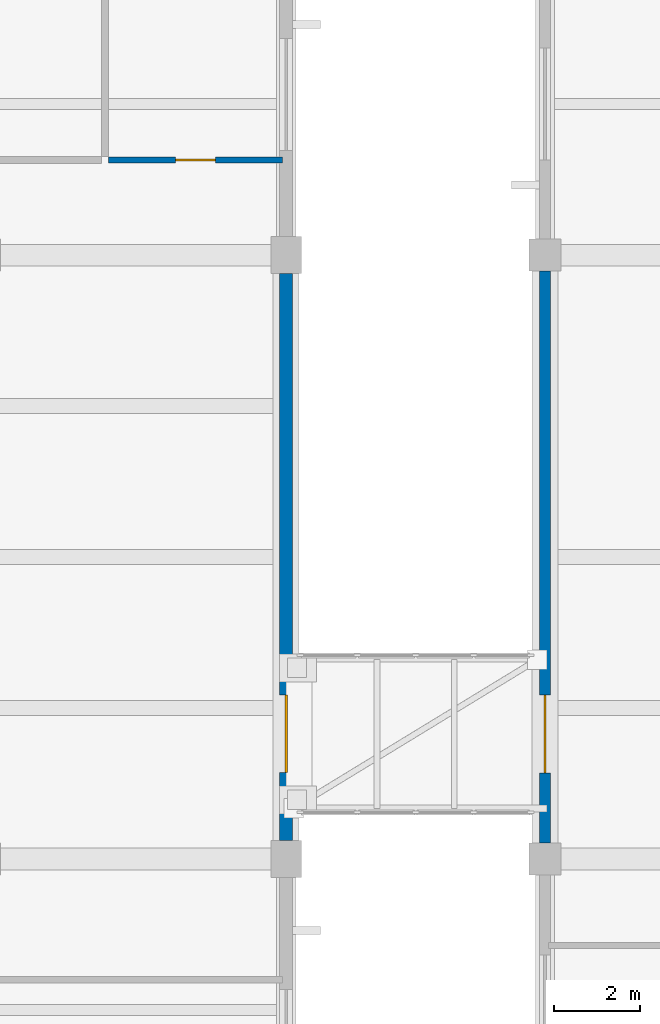
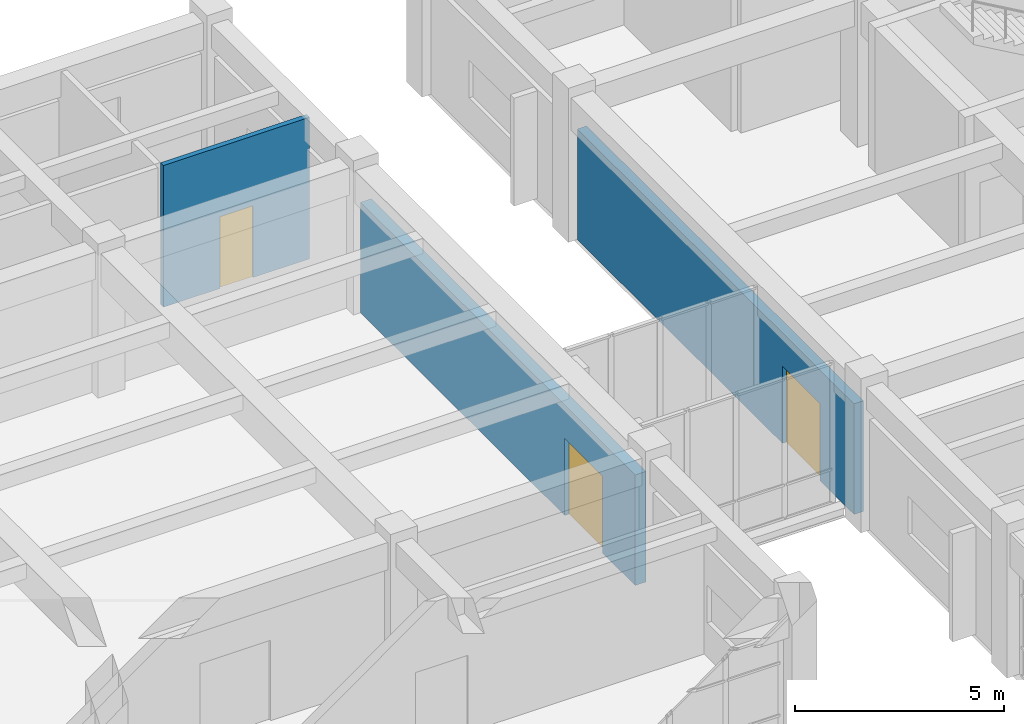
# One storey, part 52 of 70: 3 doors, 3 walls, 3 openings.
"""IFC4 building model written with IfcOpenShell, lengths in metres."""

from ifc_helpers import new_model, si_unit, direction, frame, frame_2d, origin, place, context, subcontext, project, spatial, rectangle, extrude, material, layer, layer_set, type_object, element, fill, save


model = new_model("IFC4")

# Units and contexts
model_context = context("Model", 3, precision=1e-05, world=origin(), true_north=direction((0.0, 1.0)))
body_context = subcontext(model_context, "Body", "Model", "MODEL_VIEW")
ifc_project = project(units=[si_unit("LENGTHUNIT", "METRE"), si_unit("AREAUNIT", "SQUARE_METRE"), si_unit("VOLUMEUNIT", "CUBIC_METRE"), si_unit("PLANEANGLEUNIT", "RADIAN"), si_unit("MASSUNIT", "GRAM", prefix="KILO")], contexts=[model_context])

# Site, building, storey
site_placement = place(None, origin())
site = spatial("IfcSite", under=ifc_project, at=site_placement, CompositionType="ELEMENT")
building_placement = place(site_placement, origin())
building = spatial("IfcBuilding", under=site, at=building_placement, Name="Naurynzar Civic Courthouse", CompositionType="ELEMENT")
storey_placement = place(building_placement, frame((0.0, 0.0, 5.39990234375)))
storey = spatial("IfcBuildingStorey", under=building, at=storey_placement, Name="L02", CompositionType="ELEMENT", Elevation=5.39990234375)

# Wall, opening, door
ifc_material_1 = material(Name="Precast concrete C40/50", Category="concrete")
ifc_layer_1 = layer(ifc_material_1, 0.260009765625)
ifc_layer_set_1 = layer_set([ifc_layer_1], Name="WL-EXT-260")
wall_type_1 = type_object("IfcWallType", Name="WL-EXT-260", PredefinedType="SOLIDWALL", material=ifc_layer_set_1)
wall_1_placement = place(storey_placement, frame((130.0, 51.375, 0.0), z_axis=(0.0, 0.0, 1.0), x_axis=(0.0, 1.0, 0.0)))
wall_1 = element("IfcWall", 1, at=wall_1_placement, inside=storey, type_object=wall_type_1, Name="V5 exterior wall west L02.8.1", PredefinedType="SOLIDWALL", context=body_context, shape_type="SweptSolid", body=[
    extrude(rectangle(XDim=13.25, YDim=0.260009765625, at=frame_2d((6.625, 0.0))), origin(), (0.0, 0.0, 1.0), 3.22998046875),
])
opening_1_placement = place(wall_1_placement, frame((1.625, 0.0, 0.0)))
opening_1 = element("IfcOpeningElement", 2, at=opening_1_placement, cuts=wall_1, Name="Opening BD-35", PredefinedType="OPENING", context=body_context, shape_type="SweptSolid", body=[
    extrude(rectangle(XDim=1.800048828125, YDim=2.25, at=frame_2d((0.89990234375, 1.125))), frame((0.0, 0.139892578125, 0.0), z_axis=(0.0, -1.0, 0.0), x_axis=(1.0, 0.0, 0.0)), (0.0, 0.0, 1.0), 0.280029296875),
])
ifc_material_2 = material(Name="Aluminium 6063-T6", Category="aluminium")
door_type_1 = type_object("IfcDoorType", Name="DR-BRG-1800x2250", OperationType="DOUBLE_DOOR_SINGLE_SWING", PredefinedType="DOOR", material=ifc_material_2)
door_1_placement = place(opening_1_placement, origin())
door_1 = element("IfcDoor", 3, at=door_1_placement, inside=storey, type_object=door_type_1, Name="Seismic bridge fire door BD-35", OperationType="DOUBLE_DOOR_SINGLE_SWING", OverallHeight=2.25, OverallWidth=1.800048828125, PredefinedType="DOOR", context=body_context, shape_type="SweptSolid", body=[
    extrude(rectangle(XDim=1.800048828125, YDim=2.25, at=frame_2d((0.89990234375, 1.125))), frame((0.0, 0.02490234375, 0.0), z_axis=(0.0, -1.0, 0.0), x_axis=(1.0, 0.0, 0.0)), (0.0, 0.0, 1.0), 0.050048828125),
])
fill(opening_1, door_1)

ifc_material_3 = material(Name="Precast concrete C40/50", Category="concrete")
ifc_layer_2 = layer(ifc_material_3, 0.300048828125)
ifc_layer_set_2 = layer_set([ifc_layer_2], Name="WL-EXT-300")
wall_type_2 = type_object("IfcWallType", Name="WL-EXT-300", PredefinedType="SOLIDWALL", material=ifc_layer_set_2)
wall_2_placement = place(storey_placement, frame((124.0, 64.574951171875, 0.0), z_axis=(0.0, 0.0, 1.0), x_axis=(0.0, -1.0, 0.0)))
wall_2 = element("IfcWall", 4, at=wall_2_placement, inside=storey, type_object=wall_type_2, Name="V2 exterior wall east L02.2.1", PredefinedType="SOLIDWALL", context=body_context, shape_type="SweptSolid", body=[
    extrude(rectangle(XDim=13.14990234375, YDim=0.300048828125, at=frame_2d((6.574951171875, 0.0))), origin(), (0.0, 0.0, 1.0), 3.22998046875),
])
opening_2_placement = place(wall_2_placement, frame((9.77490234375, 0.0, 0.0)))
opening_2 = element("IfcOpeningElement", 5, at=opening_2_placement, cuts=wall_2, Name="Opening BD-09", PredefinedType="OPENING", context=body_context, shape_type="SweptSolid", body=[
    extrude(rectangle(XDim=1.800048828125, YDim=2.25, at=frame_2d((0.89990234375, 1.125))), frame((0.0, 0.159912109375, 0.0), z_axis=(0.0, -1.0, 0.0), x_axis=(1.0, 0.0, 0.0)), (0.0, 0.0, 1.0), 0.320068359375),
])
door_2_placement = place(opening_2_placement, origin())
door_2 = element("IfcDoor", 6, at=door_2_placement, inside=storey, type_object=door_type_1, Name="Seismic bridge fire door BD-09", OperationType="DOUBLE_DOOR_SINGLE_SWING", OverallHeight=2.25, OverallWidth=1.800048828125, PredefinedType="DOOR", context=body_context, shape_type="SweptSolid", body=[
    extrude(rectangle(XDim=1.800048828125, YDim=2.25, at=frame_2d((0.89990234375, 1.125))), frame((0.0, 0.02490234375, 0.0), z_axis=(0.0, -1.0, 0.0), x_axis=(1.0, 0.0, 0.0)), (0.0, 0.0, 1.0), 0.050048828125),
])
fill(opening_2, door_2)

ifc_material_4 = material(Name="Moisture-Resistant Plumbing Partition")
ifc_layer_3 = layer(ifc_material_4, 0.139892578125)
ifc_layer_set_3 = layer_set([ifc_layer_3], Name="WL-PART-WC-140")
wall_type_3 = type_object("IfcWallType", Name="WL-PART-WC-140", PredefinedType="PLUMBINGWALL", material=ifc_layer_set_3)
wall_3_placement = place(storey_placement, frame((119.8798828125, 67.199951171875, 0.0), z_axis=(0.0, 0.0, 1.0), x_axis=(1.0, 0.0, 0.0)))
wall_3 = element("IfcWall", 7, at=wall_3_placement, inside=storey, type_object=wall_type_3, Name="V2 interior partition L02.253", PredefinedType="PLUMBINGWALL", context=body_context, shape_type="SweptSolid", body=[
    extrude(rectangle(XDim=4.0400390625, YDim=0.139892578125, at=frame_2d((2.02001953125, 0.0))), origin(), (0.0, 0.0, 1.0), 4.14013671875),
])
opening_3_placement = place(wall_3_placement, frame((1.56005859375, 0.0, 0.0)))
opening_3 = element("IfcOpeningElement", 8, at=opening_3_placement, cuts=wall_3, Name="Opening D-125", PredefinedType="OPENING", context=body_context, shape_type="SweptSolid", body=[
    extrude(rectangle(XDim=0.919921875, YDim=2.10009765625, at=frame_2d((0.4599609375, 1.050048828125))), frame((0.0, 0.079833984375, 0.0), z_axis=(0.0, -1.0, 0.0), x_axis=(1.0, 0.0, 0.0)), (0.0, 0.0, 1.0), 0.159912109375),
])
ifc_material_5 = material(Name="Acoustic Oak Timber Grade A", Category="wood")
door_type_2 = type_object("IfcDoorType", Name="DR-WC-STD-920x2100", OperationType="NOTDEFINED", PredefinedType="DOOR", material=ifc_material_5)
door_3_placement = place(opening_3_placement, origin())
door_3 = element("IfcDoor", 9, at=door_3_placement, inside=storey, type_object=door_type_2, Name="Interior door D-125 (Judicial Staff WC V2)", OperationType="SINGLE_SWING_LEFT", OverallHeight=2.10009765625, OverallWidth=0.919921875, PredefinedType="DOOR", context=body_context, shape_type="SweptSolid", body=[
    extrude(rectangle(XDim=0.919921875, YDim=2.10009765625, at=frame_2d((0.4599609375, 1.050048828125))), frame((0.0, 0.02490234375, 0.0), z_axis=(0.0, -1.0, 0.0), x_axis=(1.0, 0.0, 0.0)), (0.0, 0.0, 1.0), 0.050048828125),
])
fill(opening_3, door_3)

save(model, "model.ifc")
